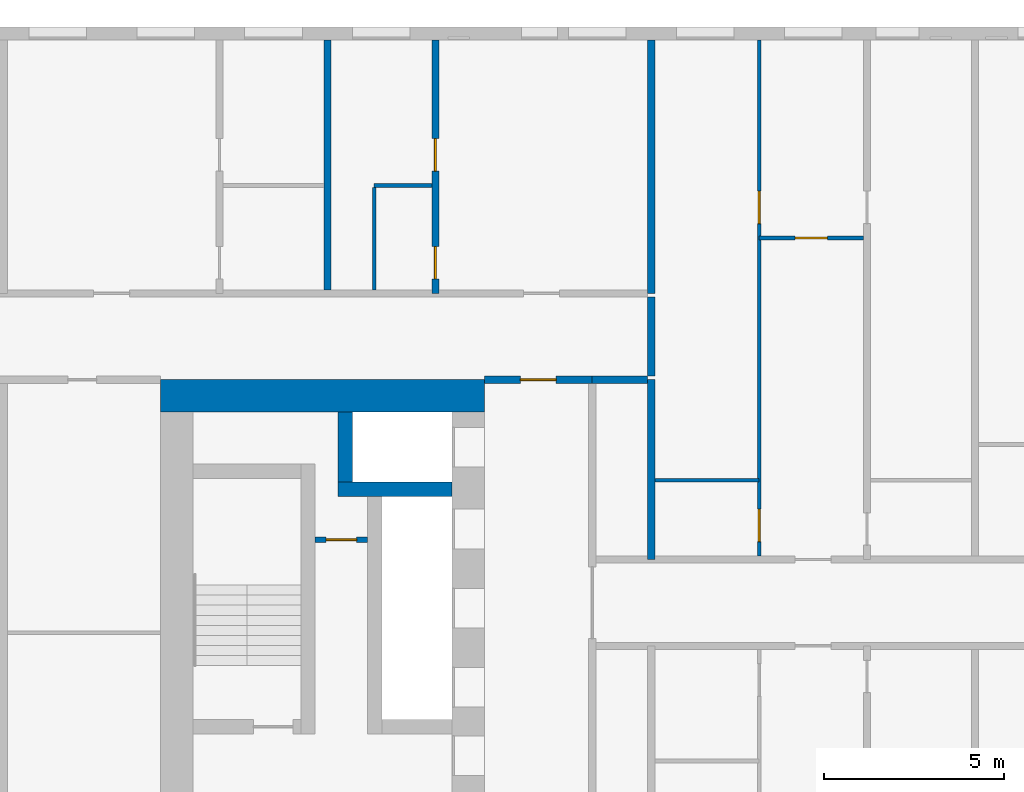
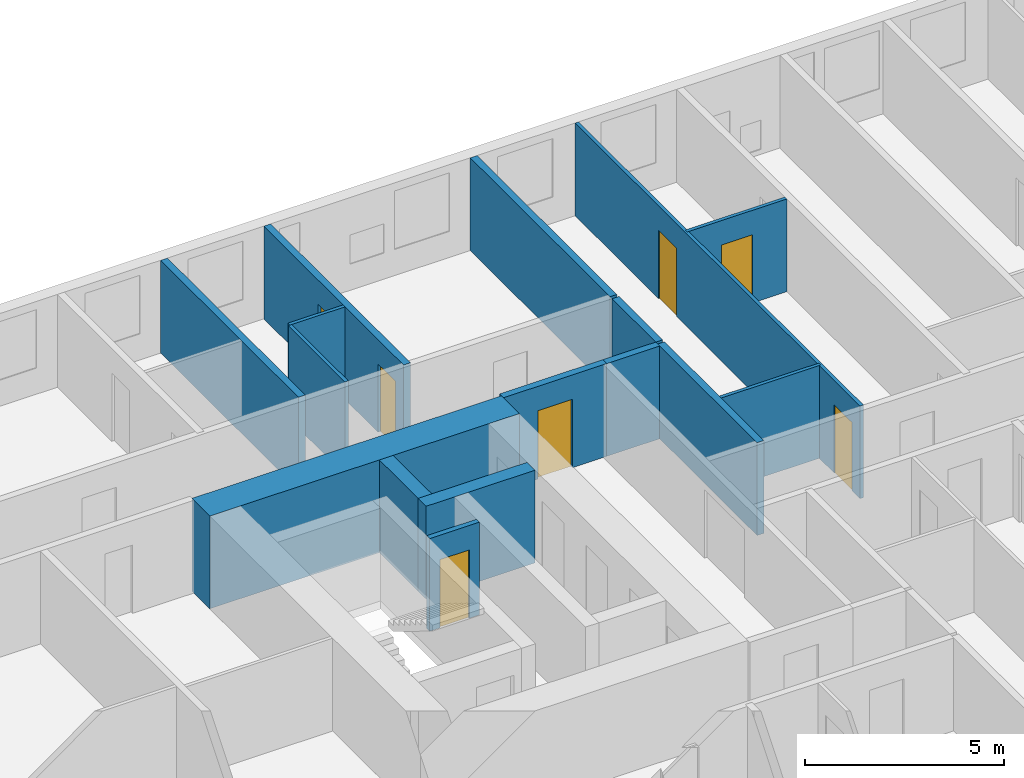
# One storey, part 5 of 18: 16 walls, 7 doors, 7 openings.
"""IFC4 building model written with IfcOpenShell, lengths in metres."""

from ifc_helpers import new_model, si_unit, direction, frame, frame_2d, origin, place, context, subcontext, project, spatial, rectangle, extrude, material, layer, layer_set, type_object, element, fill, save


model = new_model("IFC4")

# Units and contexts
model_context = context("Model", 3, precision=1e-05, world=origin(), true_north=direction((0.0, 1.0)))
body_context = subcontext(model_context, "Body", "Model", "MODEL_VIEW")
ifc_project = project(units=[si_unit("LENGTHUNIT", "METRE"), si_unit("AREAUNIT", "SQUARE_METRE"), si_unit("VOLUMEUNIT", "CUBIC_METRE"), si_unit("PLANEANGLEUNIT", "RADIAN"), si_unit("MASSUNIT", "GRAM", prefix="KILO")], contexts=[model_context])

# Site, building, storey
site_placement = place(None, origin())
site = spatial("IfcSite", under=ifc_project, at=site_placement, CompositionType="ELEMENT")
building_placement = place(site_placement, origin())
building = spatial("IfcBuilding", under=site, at=building_placement, Name="Tuart Gate Housing", CompositionType="ELEMENT")
storey_placement = place(building_placement, frame((0.0, 0.0, 31.89990234375)))
storey = spatial("IfcBuildingStorey", under=building, at=storey_placement, Name="L08", CompositionType="ELEMENT", Elevation=31.89990234375)

# Wall, opening, door
ifc_material_1 = material(Name="Plasterboard partition")
ifc_layer_1 = layer(ifc_material_1, 0.14990234375)
ifc_layer_set_1 = layer_set([ifc_layer_1], Name="Core partition 150")
wall_type_1 = type_object("IfcWallType", Name="Core partition 150", PredefinedType="PARTITIONING", material=ifc_layer_set_1)
wall_1_placement = place(storey_placement, frame((38.110107421875, 71.75, 0.0), z_axis=(0.0, 0.0, 1.0), x_axis=(-1.0, 0.0, 0.0)))
wall_1 = element("IfcWall", 1, at=wall_1_placement, inside=storey, type_object=wall_type_1, Name="Core partition AK.3", PredefinedType="PARTITIONING", context=body_context, shape_type="SweptSolid", body=[
    extrude(rectangle(XDim=1.4501953125, YDim=0.14990234375, at=frame_2d((0.72509765625, 0.0))), origin(), (0.0, 0.0, 1.0), 2.85009765625),
])
opening_1_placement = place(wall_1_placement, frame((0.300048828125, 0.0, 0.0)))
opening_1 = element("IfcOpeningElement", 2, at=opening_1_placement, cuts=wall_1, Name="Opening D493", PredefinedType="OPENING", context=body_context, shape_type="SweptSolid", body=[
    extrude(rectangle(XDim=0.85009765625, YDim=2.10009765625, at=frame_2d((0.425048828125, 1.050048828125))), frame((0.0, 0.0849609375, 0.0), z_axis=(0.0, -1.0, 0.0), x_axis=(1.0, 0.0, 0.0)), (0.0, 0.0, 1.0), 0.169921875),
])
ifc_material_2 = material(Name="Steel fire door", Category="steel")
door_type_1 = type_object("IfcDoorType", Name="Riser door 850 x 2100 RH", OperationType="SINGLE_SWING_RIGHT", PredefinedType="DOOR", material=ifc_material_2)
door_1_placement = place(opening_1_placement, frame((0.85009765625, 0.0, 0.0), z_axis=(0.0, 0.0, 1.0), x_axis=(-1.0, 0.0, 0.0)))
door_1 = element("IfcDoor", 3, at=door_1_placement, inside=storey, type_object=door_type_1, Name="Service room door AK.E1", OperationType="SINGLE_SWING_RIGHT", OverallHeight=2.10009765625, OverallWidth=0.85009765625, PredefinedType="DOOR", context=body_context, shape_type="SweptSolid", body=[
    extrude(rectangle(XDim=0.85009765625, YDim=2.10009765625, at=frame_2d((0.425048828125, 1.050048828125))), frame((0.0, 0.025146484375, 0.0), z_axis=(0.0, -1.0, 0.0), x_axis=(1.0, 0.0, 0.0)), (0.0, 0.0, 1.0), 0.050048828125),
])
fill(opening_1, door_1)

# Walls
ifc_material_3 = material(Name="Concrete C60", Category="concrete")
ifc_layer_2 = layer(ifc_material_3, 0.39990234375)
ifc_layer_set_2 = layer_set([ifc_layer_2], Name="Core wall 400 C60")
wall_type_2 = type_object("IfcWallType", Name="Core wall 400 C60", PredefinedType="SHEAR", material=ifc_layer_set_2)
wall_2_placement = place(storey_placement, frame((40.4599609375, 73.14990234375, 0.0), z_axis=(0.0, 0.0, 1.0), x_axis=(-1.0, 0.0, 0.0)))
element("IfcWall", 4, at=wall_2_placement, inside=storey, type_object=wall_type_2, Name="Core wall AK.2", PredefinedType="SHEAR", context=body_context, shape_type="SweptSolid", body=[
    extrude(rectangle(XDim=3.169921875, YDim=0.39990234375, at=frame_2d((1.5849609375, 0.0))), origin(), (0.0, 0.0, 1.0), 2.85009765625),
])
wall_3_placement = place(storey_placement, frame((37.489990234375, 75.300048828125, 0.0), z_axis=(0.0, 0.0, 1.0), x_axis=(0.0, -1.0, 0.0)))
element("IfcWall", 5, at=wall_3_placement, inside=storey, type_object=wall_type_2, Name="Core wall AK.7", PredefinedType="SHEAR", context=body_context, shape_type="SweptSolid", body=[
    extrude(rectangle(XDim=1.949951171875, YDim=0.39990234375, at=frame_2d((0.97509765625, 0.0))), origin(), (0.0, 0.0, 1.0), 2.85009765625),
])
ifc_material_4 = material(Name="Concrete C60", Category="concrete")
ifc_layer_3 = layer(ifc_material_4, 0.89990234375)
ifc_layer_set_3 = layer_set([ifc_layer_3], Name="Core wall 900 C60")
wall_type_3 = type_object("IfcWallType", Name="Core wall 900 C60", PredefinedType="SHEAR", material=ifc_layer_set_3)
wall_4_placement = place(storey_placement, frame((41.360107421875, 75.75, 0.0), z_axis=(0.0, 0.0, 1.0), x_axis=(-1.0, 0.0, 0.0)))
element("IfcWall", 6, at=wall_4_placement, inside=storey, type_object=wall_type_3, Name="Core wall AK south", PredefinedType="SHEAR", context=body_context, shape_type="SweptSolid", body=[
    extrude(rectangle(XDim=9.0, YDim=0.89990234375, at=frame_2d((4.5, 0.0))), origin(), (0.0, 0.0, 1.0), 2.85009765625),
])
ifc_material_5 = material(Name="Concrete masonry 15 MPa", Category="masonry")
ifc_layer_4 = layer(ifc_material_5, 0.199951171875)
ifc_layer_set_4 = layer_set([ifc_layer_4], Name="Corridor wall masonry 200")
wall_type_4 = type_object("IfcWallType", Name="Corridor wall masonry 200", PredefinedType="PARTITIONING", material=ifc_layer_set_4)
wall_5_placement = place(storey_placement, frame((44.360107421875, 76.199951171875, 0.0), z_axis=(0.0, 0.0, 1.0), x_axis=(1.0, 0.0, 0.0)))
element("IfcWall", 7, at=wall_5_placement, inside=storey, type_object=wall_type_4, Name="Corridor wall masonry 200", PredefinedType="PARTITIONING", context=body_context, shape_type="SweptSolid", body=[
    extrude(rectangle(XDim=1.539794921875, YDim=0.199951171875, at=frame_2d((0.77001953125, 0.0))), origin(), (0.0, 0.0, 1.0), 2.85009765625),
])
wall_6_placement = place(storey_placement, frame((46.0, 76.300048828125, 0.0), z_axis=(0.0, 0.0, 1.0), x_axis=(0.0, 1.0, 0.0)))
element("IfcWall", 8, at=wall_6_placement, inside=storey, type_object=wall_type_4, Name="Corridor wall masonry 200", PredefinedType="PARTITIONING", context=body_context, shape_type="SweptSolid", body=[
    extrude(rectangle(XDim=2.199951171875, YDim=0.199951171875, at=frame_2d((1.10009765625, 0.0))), origin(), (0.0, 0.0, 1.0), 2.85009765625),
])

# Wall, opening, door
ifc_material_6 = material(Name="Concrete masonry 15 MPa", Category="masonry")
ifc_layer_5 = layer(ifc_material_6, 0.199951171875)
ifc_layer_set_5 = layer_set([ifc_layer_5], Name="Enclosure wall masonry 200")
wall_type_5 = type_object("IfcWallType", Name="Enclosure wall masonry 200", PredefinedType="PARTITIONING", material=ifc_layer_set_5)
wall_7_placement = place(storey_placement, frame((41.360107421875, 76.199951171875, 0.0), z_axis=(0.0, 0.0, 1.0), x_axis=(1.0, 0.0, 0.0)))
wall_7 = element("IfcWall", 9, at=wall_7_placement, inside=storey, type_object=wall_type_5, Name="Enclosure wall masonry 200", PredefinedType="PARTITIONING", context=body_context, shape_type="SweptSolid", body=[
    extrude(rectangle(XDim=3.0, YDim=0.199951171875, at=frame_2d((1.5, 0.0))), origin(), (0.0, 0.0, 1.0), 2.85009765625),
])
opening_2_placement = place(wall_7_placement, frame((1.0, 0.0, 0.0)))
opening_2 = element("IfcOpeningElement", 10, at=opening_2_placement, cuts=wall_7, Name="Opening D490", PredefinedType="OPENING", context=body_context, shape_type="SweptSolid", body=[
    extrude(rectangle(XDim=1.0, YDim=2.10009765625, at=frame_2d((0.5, 1.050048828125))), frame((0.0, 0.10986328125, 0.0), z_axis=(0.0, -1.0, 0.0), x_axis=(1.0, 0.0, 0.0)), (0.0, 0.0, 1.0), 0.219970703125),
])
ifc_material_7 = material(Name="Timber door leaf in steel frame", Category="steel")
door_type_2 = type_object("IfcDoorType", Name="Fire door 1000 RH", OperationType="SINGLE_SWING_RIGHT", PredefinedType="DOOR", material=ifc_material_7)
door_2_placement = place(opening_2_placement, origin())
door_2 = element("IfcDoor", 11, at=door_2_placement, inside=storey, type_object=door_type_2, Name="Fire door", OperationType="SINGLE_SWING_RIGHT", OverallHeight=2.10009765625, OverallWidth=1.0, PredefinedType="DOOR", context=body_context, shape_type="SweptSolid", body=[
    extrude(rectangle(XDim=1.0, YDim=2.10009765625, at=frame_2d((0.5, 1.050048828125))), frame((0.0, 0.02490234375, 0.0), z_axis=(0.0, -1.0, 0.0), x_axis=(1.0, 0.0, 0.0)), (0.0, 0.0, 1.0), 0.050048828125),
])
fill(opening_2, door_2)

# Wall
ifc_material_8 = material(Name="Gypsum board on steel studs", Category="steel")
ifc_layer_6 = layer(ifc_material_8, 0.10009765625)
ifc_layer_set_6 = layer_set([ifc_layer_6], Name="Partition 100")
wall_type_6 = type_object("IfcWallType", Name="Partition 100", PredefinedType="PARTITIONING", material=ifc_layer_set_6)
wall_8_placement = place(storey_placement, frame((46.10009765625, 73.39990234375, 0.0), z_axis=(0.0, 0.0, 1.0), x_axis=(1.0, 0.0, 0.0)))
element("IfcWall", 12, at=wall_8_placement, inside=storey, type_object=wall_type_6, Name="Partition 100", PredefinedType="PARTITIONING", context=body_context, shape_type="SweptSolid", body=[
    extrude(rectangle(XDim=2.89990234375, YDim=0.10009765625, at=frame_2d((1.449951171875, 0.0))), origin(), (0.0, 0.0, 1.0), 2.85009765625),
])

# Wall, opening, door
wall_9_placement = place(storey_placement, frame((49.0, 80.139892578125, 0.0), z_axis=(0.0, 0.0, 1.0), x_axis=(1.0, 0.0, 0.0)))
wall_9 = element("IfcWall", 13, at=wall_9_placement, inside=storey, type_object=wall_type_6, Name="Partition 100", PredefinedType="PARTITIONING", context=body_context, shape_type="SweptSolid", body=[
    extrude(rectangle(XDim=2.89990234375, YDim=0.10009765625, at=frame_2d((1.449951171875, 0.0))), origin(), (0.0, 0.0, 1.0), 2.85009765625),
])
opening_3_placement = place(wall_9_placement, frame((1.0, 0.0, 0.0)))
opening_3 = element("IfcOpeningElement", 14, at=opening_3_placement, cuts=wall_9, Name="Opening D473", PredefinedType="OPENING", context=body_context, shape_type="SweptSolid", body=[
    extrude(rectangle(XDim=0.89990234375, YDim=2.10009765625, at=frame_2d((0.449951171875, 1.050048828125))), frame((0.0, 0.06005859375, 0.0), z_axis=(0.0, -1.0, 0.0), x_axis=(1.0, 0.0, 0.0)), (0.0, 0.0, 1.0), 0.1201171875),
])
ifc_material_9 = material(Name="Timber door leaf in steel frame", Category="steel")
door_type_3 = type_object("IfcDoorType", Name="Internal door 900 RH", OperationType="SINGLE_SWING_RIGHT", PredefinedType="DOOR", material=ifc_material_9)
door_3_placement = place(opening_3_placement, frame((0.89990234375, 0.0, 0.0), z_axis=(0.0, 0.0, 1.0), x_axis=(-1.0, 0.0, 0.0)))
door_3 = element("IfcDoor", 15, at=door_3_placement, inside=storey, type_object=door_type_3, Name="Internal door", OperationType="SINGLE_SWING_RIGHT", OverallHeight=2.10009765625, OverallWidth=0.89990234375, PredefinedType="DOOR", context=body_context, shape_type="SweptSolid", body=[
    extrude(rectangle(XDim=0.89990234375, YDim=2.10009765625, at=frame_2d((0.449951171875, 1.050048828125))), frame((0.0, 0.025146484375, 0.0), z_axis=(0.0, -1.0, 0.0), x_axis=(1.0, 0.0, 0.0)), (0.0, 0.0, 1.0), 0.050048828125),
])
fill(opening_3, door_3)

# Walls
wall_10_placement = place(storey_placement, frame((38.300048828125, 81.60009765625, 0.0), z_axis=(0.0, 0.0, 1.0), x_axis=(1.0, 0.0, 0.0)))
element("IfcWall", 16, at=wall_10_placement, inside=storey, type_object=wall_type_6, Name="Partition 100", PredefinedType="PARTITIONING", context=body_context, shape_type="SweptSolid", body=[
    extrude(rectangle(XDim=1.599853515625, YDim=0.10009765625, at=frame_2d((0.7998046875, 0.0))), origin(), (0.0, 0.0, 1.0), 2.85009765625),
])
wall_11_placement = place(storey_placement, frame((38.300048828125, 78.699951171875, 0.0), z_axis=(0.0, 0.0, 1.0), x_axis=(0.0, 1.0, 0.0)))
element("IfcWall", 17, at=wall_11_placement, inside=storey, type_object=wall_type_6, Name="Partition 100", PredefinedType="PARTITIONING", context=body_context, shape_type="SweptSolid", body=[
    extrude(rectangle(XDim=2.85009765625, YDim=0.10009765625, at=frame_2d((1.425048828125, 0.0))), origin(), (0.0, 0.0, 1.0), 2.85009765625),
])

# Wall, openings, doors
wall_12_placement = place(storey_placement, frame((49.0, 71.300048828125, 0.0), z_axis=(0.0, 0.0, 1.0), x_axis=(0.0, 1.0, 0.0)))
wall_12 = element("IfcWall", 18, at=wall_12_placement, inside=storey, type_object=wall_type_6, Name="Partition 100", PredefinedType="PARTITIONING", context=body_context, shape_type="SweptSolid", body=[
    extrude(rectangle(XDim=14.33984375, YDim=0.10009765625, at=frame_2d((7.169921875, 0.0))), origin(), (0.0, 0.0, 1.0), 2.85009765625),
])
opening_4_placement = place(wall_12_placement, frame((9.239990234375, 0.0, 0.0)))
opening_4 = element("IfcOpeningElement", 19, at=opening_4_placement, cuts=wall_12, Name="Opening D481", PredefinedType="OPENING", context=body_context, shape_type="SweptSolid", body=[
    extrude(rectangle(XDim=0.89990234375, YDim=2.10009765625, at=frame_2d((0.449951171875, 1.050048828125))), frame((0.0, 0.06005859375, 0.0), z_axis=(0.0, -1.0, 0.0), x_axis=(1.0, 0.0, 0.0)), (0.0, 0.0, 1.0), 0.1201171875),
])
opening_5_placement = place(wall_12_placement, frame((0.39990234375, 0.0, 0.0)))
opening_5 = element("IfcOpeningElement", 20, at=opening_5_placement, cuts=wall_12, Name="Opening D480", PredefinedType="OPENING", context=body_context, shape_type="SweptSolid", body=[
    extrude(rectangle(XDim=0.89990234375, YDim=2.10009765625, at=frame_2d((0.449951171875, 1.050048828125))), frame((0.0, 0.06005859375, 0.0), z_axis=(0.0, -1.0, 0.0), x_axis=(1.0, 0.0, 0.0)), (0.0, 0.0, 1.0), 0.1201171875),
])
ifc_material_10 = material(Name="Timber door leaf in steel frame", Category="steel")
door_type_4 = type_object("IfcDoorType", Name="Bathroom door 900", OperationType="SINGLE_SWING_LEFT", PredefinedType="DOOR", material=ifc_material_10)
door_4_placement = place(opening_5_placement, origin())
door_4 = element("IfcDoor", 21, at=door_4_placement, inside=storey, type_object=door_type_4, Name="Bathroom door", OperationType="SINGLE_SWING_LEFT", OverallHeight=2.10009765625, OverallWidth=0.89990234375, PredefinedType="DOOR", context=body_context, shape_type="SweptSolid", body=[
    extrude(rectangle(XDim=0.89990234375, YDim=2.10009765625, at=frame_2d((0.449951171875, 1.050048828125))), frame((0.0, 0.02490234375, 0.0), z_axis=(0.0, -1.0, 0.0), x_axis=(1.0, 0.0, 0.0)), (0.0, 0.0, 1.0), 0.050048828125),
])
fill(opening_5, door_4)
door_5_placement = place(opening_4_placement, origin())
door_5 = element("IfcDoor", 22, at=door_5_placement, inside=storey, type_object=door_type_3, Name="Internal door", OperationType="SINGLE_SWING_RIGHT", OverallHeight=2.10009765625, OverallWidth=0.89990234375, PredefinedType="DOOR", context=body_context, shape_type="SweptSolid", body=[
    extrude(rectangle(XDim=0.89990234375, YDim=2.10009765625, at=frame_2d((0.449951171875, 1.050048828125))), frame((0.0, 0.02490234375, 0.0), z_axis=(0.0, -1.0, 0.0), x_axis=(1.0, 0.0, 0.0)), (0.0, 0.0, 1.0), 0.050048828125),
])
fill(opening_4, door_5)

ifc_material_11 = material(Name="Concrete C40", Category="concrete")
ifc_layer_7 = layer(ifc_material_11, 0.199951171875)
ifc_layer_set_7 = layer_set([ifc_layer_7], Name="Party wall concrete C40 200")
wall_type_7 = type_object("IfcWallType", Name="Party wall concrete C40 200", PredefinedType="SOLIDWALL", material=ifc_layer_set_7)
wall_13_placement = place(storey_placement, frame((40.0, 78.60009765625, 0.0), z_axis=(0.0, 0.0, 1.0), x_axis=(0.0, 1.0, 0.0)))
wall_13 = element("IfcWall", 23, at=wall_13_placement, inside=storey, type_object=wall_type_7, Name="Party wall concrete C40 200", PredefinedType="SOLIDWALL", context=body_context, shape_type="SweptSolid", body=[
    extrude(rectangle(XDim=7.039794921875, YDim=0.199951171875, at=frame_2d((3.52001953125, 0.0))), origin(), (0.0, 0.0, 1.0), 2.85009765625),
])
opening_6_placement = place(wall_13_placement, frame((3.39990234375, 0.0, 0.0)))
opening_6 = element("IfcOpeningElement", 24, at=opening_6_placement, cuts=wall_13, Name="Opening D470", PredefinedType="OPENING", context=body_context, shape_type="SweptSolid", body=[
    extrude(rectangle(XDim=0.89990234375, YDim=2.10009765625, at=frame_2d((0.449951171875, 1.050048828125))), frame((0.0, 0.10986328125, 0.0), z_axis=(0.0, -1.0, 0.0), x_axis=(1.0, 0.0, 0.0)), (0.0, 0.0, 1.0), 0.219970703125),
])
opening_7_placement = place(wall_13_placement, frame((0.39990234375, 0.0, 0.0)))
opening_7 = element("IfcOpeningElement", 25, at=opening_7_placement, cuts=wall_13, Name="Opening D469", PredefinedType="OPENING", context=body_context, shape_type="SweptSolid", body=[
    extrude(rectangle(XDim=0.89990234375, YDim=2.10009765625, at=frame_2d((0.449951171875, 1.050048828125))), frame((0.0, 0.10986328125, 0.0), z_axis=(0.0, -1.0, 0.0), x_axis=(1.0, 0.0, 0.0)), (0.0, 0.0, 1.0), 0.219970703125),
])
door_6_placement = place(opening_7_placement, origin())
door_6 = element("IfcDoor", 26, at=door_6_placement, inside=storey, type_object=door_type_4, Name="Bathroom door", OperationType="SINGLE_SWING_LEFT", OverallHeight=2.10009765625, OverallWidth=0.89990234375, PredefinedType="DOOR", context=body_context, shape_type="SweptSolid", body=[
    extrude(rectangle(XDim=0.89990234375, YDim=2.10009765625, at=frame_2d((0.449951171875, 1.050048828125))), frame((0.0, 0.02490234375, 0.0), z_axis=(0.0, -1.0, 0.0), x_axis=(1.0, 0.0, 0.0)), (0.0, 0.0, 1.0), 0.050048828125),
])
fill(opening_7, door_6)
ifc_material_12 = material(Name="Timber door leaf in steel frame", Category="steel")
door_type_5 = type_object("IfcDoorType", Name="Internal door 900", OperationType="SINGLE_SWING_LEFT", PredefinedType="DOOR", material=ifc_material_12)
door_7_placement = place(opening_6_placement, origin())
door_7 = element("IfcDoor", 27, at=door_7_placement, inside=storey, type_object=door_type_5, Name="Internal door", OperationType="SINGLE_SWING_LEFT", OverallHeight=2.10009765625, OverallWidth=0.89990234375, PredefinedType="DOOR", context=body_context, shape_type="SweptSolid", body=[
    extrude(rectangle(XDim=0.89990234375, YDim=2.10009765625, at=frame_2d((0.449951171875, 1.050048828125))), frame((0.0, 0.02490234375, 0.0), z_axis=(0.0, -1.0, 0.0), x_axis=(1.0, 0.0, 0.0)), (0.0, 0.0, 1.0), 0.050048828125),
])
fill(opening_6, door_7)

# Walls
wall_14_placement = place(storey_placement, frame((46.0, 71.199951171875, 0.0), z_axis=(0.0, 0.0, 1.0), x_axis=(0.0, 1.0, 0.0)))
element("IfcWall", 28, at=wall_14_placement, inside=storey, type_object=wall_type_7, Name="Party wall concrete C40 200", PredefinedType="SOLIDWALL", context=body_context, shape_type="SweptSolid", body=[
    extrude(rectangle(XDim=5.0, YDim=0.199951171875, at=frame_2d((2.5, 0.0))), origin(), (0.0, 0.0, 1.0), 2.85009765625),
])
wall_15_placement = place(storey_placement, frame((46.0, 78.60009765625, 0.0), z_axis=(0.0, 0.0, 1.0), x_axis=(0.0, 1.0, 0.0)))
element("IfcWall", 29, at=wall_15_placement, inside=storey, type_object=wall_type_7, Name="Party wall concrete C40 200", PredefinedType="SOLIDWALL", context=body_context, shape_type="SweptSolid", body=[
    extrude(rectangle(XDim=7.039794921875, YDim=0.199951171875, at=frame_2d((3.52001953125, 0.0))), origin(), (0.0, 0.0, 1.0), 2.85009765625),
])
ifc_material_13 = material(Name="Concrete masonry 15 MPa", Category="masonry")
ifc_layer_8 = layer(ifc_material_13, 0.199951171875)
ifc_layer_set_8 = layer_set([ifc_layer_8], Name="Party wall masonry 200")
wall_type_8 = type_object("IfcWallType", Name="Party wall masonry 200", PredefinedType="PARTITIONING", material=ifc_layer_set_8)
wall_16_placement = place(storey_placement, frame((37.0, 78.699951171875, 0.0), z_axis=(0.0, 0.0, 1.0), x_axis=(0.0, 1.0, 0.0)))
element("IfcWall", 30, at=wall_16_placement, inside=storey, type_object=wall_type_8, Name="Party wall masonry 200", PredefinedType="PARTITIONING", context=body_context, shape_type="SweptSolid", body=[
    extrude(rectangle(XDim=6.93994140625, YDim=0.199951171875, at=frame_2d((3.469970703125, 0.0))), origin(), (0.0, 0.0, 1.0), 2.85009765625),
])

save(model, "model.ifc")
